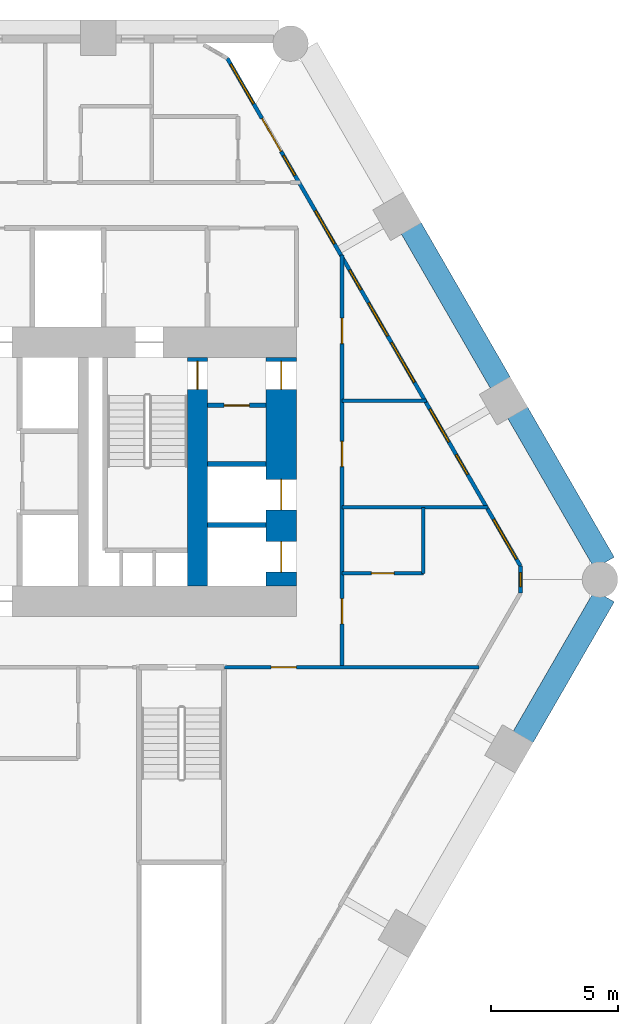
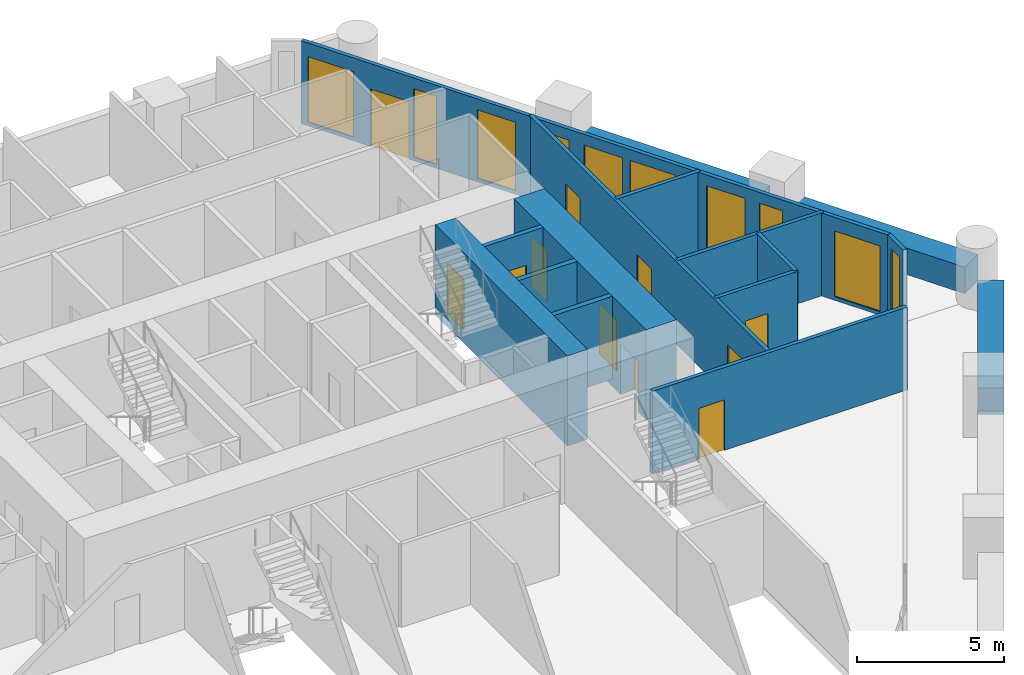
# One storey, part 5 of 8: 16 walls, 11 doors, 10 windows, 21 openings.
"""IFC4 building model written with IfcOpenShell, lengths in metres."""

from ifc_helpers import new_model, si_unit, direction, frame, frame_2d, origin, place, context, subcontext, project, spatial, rectangle, extrude, material, layer, layer_set, type_object, element, fill, save


model = new_model("IFC4")

# Units and contexts
model_context = context("Model", 3, precision=1e-05, world=origin(), true_north=direction((0.0, 1.0)))
body_context = subcontext(model_context, "Body", "Model", "MODEL_VIEW")
ifc_project = project(units=[si_unit("LENGTHUNIT", "METRE"), si_unit("AREAUNIT", "SQUARE_METRE"), si_unit("VOLUMEUNIT", "CUBIC_METRE"), si_unit("PLANEANGLEUNIT", "RADIAN"), si_unit("MASSUNIT", "GRAM", prefix="KILO")], contexts=[model_context])

# Site, building, storey
site_placement = place(None, origin())
site = spatial("IfcSite", under=ifc_project, at=site_placement, CompositionType="ELEMENT")
building_placement = place(site_placement, origin())
building = spatial("IfcBuilding", under=site, at=building_placement, Name="Ostrander Bayou Hotel Tower", CompositionType="ELEMENT")
storey_placement = place(building_placement, frame((0.0, 0.0, 43.0)))
storey = spatial("IfcBuildingStorey", under=building, at=storey_placement, Name="L10", CompositionType="ELEMENT", Elevation=43.0)

# Wall, openings, doors
ifc_material_1 = material(Name="Concrete f'c 70 MPa", Category="concrete")
ifc_layer_1 = layer(ifc_material_1, 1.199951171875)
ifc_layer_set_1 = layer_set([ifc_layer_1], Name="CW1 core wall 1200 mm f'c 70 MPa")
wall_type_1 = type_object("IfcWallType", Name="CW1 core wall 1200 mm f'c 70 MPa", PredefinedType="SHEAR", material=ifc_layer_set_1)
wall_1_placement = place(storey_placement, frame((11.39990234375, -0.5, -0.300048828125), z_axis=(0.0, 0.0, 1.0), x_axis=(0.0, 1.0, 0.0)))
wall_1 = element("IfcWall", 1, at=wall_1_placement, inside=storey, type_object=wall_type_1, Name="CW1 L10 RE", PredefinedType="SHEAR", context=body_context, shape_type="SweptSolid", body=[
    extrude(rectangle(XDim=9.0, YDim=1.199951171875, at=frame_2d((4.5, 0.0))), origin(), (0.0, 0.0, 1.0), 3.75),
])
opening_1_placement = place(wall_1_placement, frame((7.75, 0.0, 0.0)))
opening_1 = element("IfcOpeningElement", 2, at=opening_1_placement, cuts=wall_1, Name="Opening T09-021", PredefinedType="OPENING", context=body_context, shape_type="SweptSolid", body=[
    extrude(rectangle(XDim=1.10009765625, YDim=2.10009765625, at=frame_2d((0.550048828125, 1.050048828125))), frame((0.0, 0.60009765625, 0.0), z_axis=(0.0, -1.0, 0.0), x_axis=(1.0, 0.0, 0.0)), (0.0, 0.0, 1.0), 1.199951171875),
])
opening_2_placement = place(wall_1_placement, frame((0.550048828125, 0.0, 0.0)))
opening_2 = element("IfcOpeningElement", 3, at=opening_2_placement, cuts=wall_1, Name="Opening T09-022", PredefinedType="OPENING", context=body_context, shape_type="SweptSolid", body=[
    extrude(rectangle(XDim=1.199951171875, YDim=2.10009765625, at=frame_2d((0.60009765625, 1.050048828125))), frame((0.0, 0.60009765625, 0.0), z_axis=(0.0, -1.0, 0.0), x_axis=(1.0, 0.0, 0.0)), (0.0, 0.0, 1.0), 1.199951171875),
])
opening_3_placement = place(wall_1_placement, frame((3.0, 0.0, 0.0)))
opening_3 = element("IfcOpeningElement", 4, at=opening_3_placement, cuts=wall_1, Name="Opening T09-023", PredefinedType="OPENING", context=body_context, shape_type="SweptSolid", body=[
    extrude(rectangle(XDim=1.199951171875, YDim=2.10009765625, at=frame_2d((0.60009765625, 1.050048828125))), frame((0.0, 0.60009765625, 0.0), z_axis=(0.0, -1.0, 0.0), x_axis=(1.0, 0.0, 0.0)), (0.0, 0.0, 1.0), 1.199951171875),
])
ifc_material_2 = material(Name="Timber door leaf", Category="wood")
door_type_1 = type_object("IfcDoorType", Name="D5 stair door 1100 x 2100 mm, 90 minute", OperationType="SINGLE_SWING_LEFT", PredefinedType="DOOR", material=ifc_material_2)
door_1_placement = place(opening_1_placement, origin())
door_1 = element("IfcDoor", 5, at=door_1_placement, inside=storey, type_object=door_type_1, Name="dr:L10:021", OperationType="SINGLE_SWING_RIGHT", OverallHeight=2.10009765625, OverallWidth=1.10009765625, PredefinedType="DOOR", context=body_context, shape_type="SweptSolid", body=[
    extrude(rectangle(XDim=1.10009765625, YDim=2.10009765625, at=frame_2d((0.550048828125, 1.050048828125))), frame((0.0, 0.02490234375, 0.0), z_axis=(0.0, -1.0, 0.0), x_axis=(1.0, 0.0, 0.0)), (0.0, 0.0, 1.0), 0.050048828125),
])
fill(opening_1, door_1)
ifc_material_3 = material(Name="Stainless steel sliding door", Category="steel")
door_type_2 = type_object("IfcDoorType", Name="LD1 lift landing door 1200 x 2100 mm", OperationType="SINGLE_SWING_LEFT", PredefinedType="DOOR", material=ifc_material_3)
door_2_placement = place(opening_2_placement, origin())
door_2 = element("IfcDoor", 6, at=door_2_placement, inside=storey, type_object=door_type_2, Name="dr:L10:022", OperationType="SLIDING_TO_LEFT", OverallHeight=2.10009765625, OverallWidth=1.199951171875, PredefinedType="DOOR", context=body_context, shape_type="SweptSolid", body=[
    extrude(rectangle(XDim=1.199951171875, YDim=2.10009765625, at=frame_2d((0.60009765625, 1.050048828125))), frame((0.0, 0.02490234375, 0.0), z_axis=(0.0, -1.0, 0.0), x_axis=(1.0, 0.0, 0.0)), (0.0, 0.0, 1.0), 0.050048828125),
])
fill(opening_2, door_2)
door_3_placement = place(opening_3_placement, origin())
door_3 = element("IfcDoor", 7, at=door_3_placement, inside=storey, type_object=door_type_2, Name="dr:L10:023", OperationType="SLIDING_TO_LEFT", OverallHeight=2.10009765625, OverallWidth=1.199951171875, PredefinedType="DOOR", context=body_context, shape_type="SweptSolid", body=[
    extrude(rectangle(XDim=1.199951171875, YDim=2.10009765625, at=frame_2d((0.60009765625, 1.050048828125))), frame((0.0, 0.02490234375, 0.0), z_axis=(0.0, -1.0, 0.0), x_axis=(1.0, 0.0, 0.0)), (0.0, 0.0, 1.0), 0.050048828125),
])
fill(opening_3, door_3)

# Wall, opening, door
ifc_material_4 = material(Name="Concrete f'c 70 MPa", Category="concrete")
ifc_layer_2 = layer(ifc_material_4, 0.800048828125)
ifc_layer_set_2 = layer_set([ifc_layer_2], Name="CW2 core spine wall 800 mm f'c 70 MPa")
wall_type_2 = type_object("IfcWallType", Name="CW2 core spine wall 800 mm f'c 70 MPa", PredefinedType="SHEAR", material=ifc_layer_set_2)
wall_2_placement = place(storey_placement, frame((8.10009765625, -0.5, -0.300048828125), z_axis=(0.0, 0.0, 1.0), x_axis=(0.0, 1.0, 0.0)))
wall_2 = element("IfcWall", 8, at=wall_2_placement, inside=storey, type_object=wall_type_2, Name="CW2 L10 E", PredefinedType="SHEAR", context=body_context, shape_type="SweptSolid", body=[
    extrude(rectangle(XDim=9.0, YDim=0.800048828125, at=frame_2d((4.5, 0.0))), origin(), (0.0, 0.0, 1.0), 3.75),
])
opening_4_placement = place(wall_2_placement, frame((7.75, 0.0, 0.0)))
opening_4 = element("IfcOpeningElement", 9, at=opening_4_placement, cuts=wall_2, Name="Opening T09-006", PredefinedType="OPENING", context=body_context, shape_type="SweptSolid", body=[
    extrude(rectangle(XDim=1.10009765625, YDim=2.10009765625, at=frame_2d((0.550048828125, 1.050048828125))), frame((0.0, 0.39990234375, 0.0), z_axis=(0.0, -1.0, 0.0), x_axis=(1.0, 0.0, 0.0)), (0.0, 0.0, 1.0), 0.800048828125),
])
door_4_placement = place(opening_4_placement, origin())
door_4 = element("IfcDoor", 10, at=door_4_placement, inside=storey, type_object=door_type_1, Name="dr:L10:006", OperationType="SINGLE_SWING_LEFT", OverallHeight=2.10009765625, OverallWidth=1.10009765625, PredefinedType="DOOR", context=body_context, shape_type="SweptSolid", body=[
    extrude(rectangle(XDim=1.10009765625, YDim=2.10009765625, at=frame_2d((0.550048828125, 1.050048828125))), frame((0.0, 0.02490234375, 0.0), z_axis=(0.0, -1.0, 0.0), x_axis=(1.0, 0.0, 0.0)), (0.0, 0.0, 1.0), 0.050048828125),
])
fill(opening_4, door_4)

# Wall, openings, door, windows
ifc_material_5 = material(Name="Aluminium framed insulated wall", Category="aluminium")
ifc_layer_3 = layer(ifc_material_5, 0.14990234375)
ifc_layer_set_3 = layer_set([ifc_layer_3], Name="GW1 glass-line wall 150 mm")
wall_type_3 = type_object("IfcWallType", Name="GW1 glass-line wall 150 mm", PredefinedType="SOLIDWALL", material=ifc_layer_set_3)
wall_3_placement = place(storey_placement, frame((20.826171875, 0.287109375, 0.0), z_axis=(0.0, 0.0, 1.0), x_axis=(-0.500006057782, 0.866021906294, 0.0)))
wall_3 = element("IfcWall", 11, at=wall_3_placement, inside=storey, type_object=wall_type_3, Name="GW1 L10 NE 1", PredefinedType="SOLIDWALL", context=body_context, shape_type="SweptSolid", body=[
    extrude(rectangle(XDim=23.100341796875, YDim=0.14990234375, at=frame_2d((11.55029296875, 0.0))), origin(), (0.0, 0.0, 1.0), 3.449951171875),
])
opening_5_placement = place(wall_3_placement, frame((4.16455078125, 0.0, 0.14990234375)))
opening_5 = element("IfcOpeningElement", 12, at=opening_5_placement, cuts=wall_3, Name="Opening W15", PredefinedType="OPENING", context=body_context, shape_type="SweptSolid", body=[
    extrude(rectangle(XDim=0.89990234375, YDim=2.85009765625, at=frame_2d((0.449951171875, 1.425048828125))), frame((0.0, 0.074951171875, 0.0), z_axis=(0.0, -1.0, 0.0), x_axis=(1.0, 0.0, 0.0)), (0.0, 0.0, 1.0), 0.14990234375),
])
opening_6_placement = place(wall_3_placement, frame((5.64453125, 0.0, 0.14990234375)))
opening_6 = element("IfcOpeningElement", 13, at=opening_6_placement, cuts=wall_3, Name="Opening W11", PredefinedType="OPENING", context=body_context, shape_type="SweptSolid", body=[
    extrude(rectangle(XDim=1.5, YDim=2.85009765625, at=frame_2d((0.75, 1.425048828125))), frame((0.0, 0.074951171875, 0.0), z_axis=(0.0, -1.0, 0.0), x_axis=(1.0, 0.0, 0.0)), (0.0, 0.0, 1.0), 0.14990234375),
])
opening_7_placement = place(wall_3_placement, frame((8.364501953125, 0.0, 0.14990234375)))
opening_7 = element("IfcOpeningElement", 14, at=opening_7_placement, cuts=wall_3, Name="Opening W1", PredefinedType="OPENING", context=body_context, shape_type="SweptSolid", body=[
    extrude(rectangle(XDim=1.800048828125, YDim=2.85009765625, at=frame_2d((0.89990234375, 1.425048828125))), frame((0.0, 0.074951171875, 0.0), z_axis=(0.0, -1.0, 0.0), x_axis=(1.0, 0.0, 0.0)), (0.0, 0.0, 1.0), 0.14990234375),
])
opening_8_placement = place(wall_3_placement, frame((10.464599609375, 0.0, 0.14990234375)))
opening_8 = element("IfcOpeningElement", 15, at=opening_8_placement, cuts=wall_3, Name="Opening W11", PredefinedType="OPENING", context=body_context, shape_type="SweptSolid", body=[
    extrude(rectangle(XDim=1.5, YDim=2.85009765625, at=frame_2d((0.75, 1.425048828125))), frame((0.0, 0.074951171875, 0.0), z_axis=(0.0, -1.0, 0.0), x_axis=(1.0, 0.0, 0.0)), (0.0, 0.0, 1.0), 0.14990234375),
])
opening_9_placement = place(wall_3_placement, frame((12.564453125, 0.0, 0.14990234375)))
opening_9 = element("IfcOpeningElement", 16, at=opening_9_placement, cuts=wall_3, Name="Opening W15", PredefinedType="OPENING", context=body_context, shape_type="SweptSolid", body=[
    extrude(rectangle(XDim=0.89990234375, YDim=2.85009765625, at=frame_2d((0.449951171875, 1.425048828125))), frame((0.0, 0.074951171875, 0.0), z_axis=(0.0, -1.0, 0.0), x_axis=(1.0, 0.0, 0.0)), (0.0, 0.0, 1.0), 0.14990234375),
])
opening_10_placement = place(wall_3_placement, frame((14.66455078125, 0.0, 0.14990234375)))
opening_10 = element("IfcOpeningElement", 17, at=opening_10_placement, cuts=wall_3, Name="Opening W11", PredefinedType="OPENING", context=body_context, shape_type="SweptSolid", body=[
    extrude(rectangle(XDim=1.5, YDim=2.85009765625, at=frame_2d((0.75, 1.425048828125))), frame((0.0, 0.074951171875, 0.0), z_axis=(0.0, -1.0, 0.0), x_axis=(1.0, 0.0, 0.0)), (0.0, 0.0, 1.0), 0.14990234375),
])
opening_11_placement = place(wall_3_placement, frame((17.77490234375, 0.0, 0.14990234375)))
opening_11 = element("IfcOpeningElement", 18, at=opening_11_placement, cuts=wall_3, Name="Opening W15", PredefinedType="OPENING", context=body_context, shape_type="SweptSolid", body=[
    extrude(rectangle(XDim=0.89990234375, YDim=2.85009765625, at=frame_2d((0.449951171875, 1.425048828125))), frame((0.0, 0.074951171875, 0.0), z_axis=(0.0, -1.0, 0.0), x_axis=(1.0, 0.0, 0.0)), (0.0, 0.0, 1.0), 0.14990234375),
])
opening_12_placement = place(wall_3_placement, frame((18.864501953125, 0.0, 0.0)))
opening_12 = element("IfcOpeningElement", 19, at=opening_12_placement, cuts=wall_3, Name="Opening T09-808", PredefinedType="OPENING", context=body_context, shape_type="SweptSolid", body=[
    extrude(rectangle(XDim=1.5, YDim=2.39990234375, at=frame_2d((0.75, 1.199951171875))), frame((0.0, 0.074951171875, 0.0), z_axis=(0.0, -1.0, 0.0), x_axis=(1.0, 0.0, 0.0)), (0.0, 0.0, 1.0), 0.14990234375),
])
opening_13_placement = place(wall_3_placement, frame((0.322265625, 0.0, 0.14990234375)))
opening_13 = element("IfcOpeningElement", 20, at=opening_13_placement, cuts=wall_3, Name="Opening W1", PredefinedType="OPENING", context=body_context, shape_type="SweptSolid", body=[
    extrude(rectangle(XDim=1.800048828125, YDim=2.72998046875, at=frame_2d((0.89990234375, 1.364990234375))), frame((0.0, 0.074951171875, 0.0), z_axis=(0.0, -1.0, 0.0), x_axis=(1.0, 0.0, 0.0)), (0.0, 0.0, 1.0), 0.14990234375),
])
opening_14_placement = place(wall_3_placement, frame((21.032470703125, 0.0, 0.14990234375)))
opening_14 = element("IfcOpeningElement", 21, at=opening_14_placement, cuts=wall_3, Name="Opening W1", PredefinedType="OPENING", context=body_context, shape_type="SweptSolid", body=[
    extrude(rectangle(XDim=1.800048828125, YDim=2.72998046875, at=frame_2d((0.89990234375, 1.364990234375))), frame((0.0, 0.074951171875, 0.0), z_axis=(0.0, -1.0, 0.0), x_axis=(1.0, 0.0, 0.0)), (0.0, 0.0, 1.0), 0.14990234375),
])
ifc_material_6 = material(Name="Aluminium and clear glass", Category="aluminium")
door_type_3 = type_object("IfcDoorType", Name="SD1 sliding glass door 1500 mm, zone 1", OperationType="SLIDING_TO_LEFT", PredefinedType="DOOR", material=ifc_material_6)
door_5_placement = place(opening_12_placement, origin())
door_5 = element("IfcDoor", 22, at=door_5_placement, inside=storey, type_object=door_type_3, Name="SD1 L10 NE 5", OperationType="SLIDING_TO_LEFT", OverallHeight=2.39990234375, OverallWidth=1.5, PredefinedType="DOOR", context=body_context, shape_type="SweptSolid", body=[
    extrude(rectangle(XDim=1.5, YDim=2.39990234375, at=frame_2d((0.75, 1.199951171875))), frame((0.0, 0.02490234375, 0.0), z_axis=(0.0, -1.0, 0.0), x_axis=(1.0, 0.0, 0.0)), (0.0, 0.0, 1.0), 0.050048828125),
])
fill(opening_12, door_5)
ifc_material_7 = material(Name="Aluminium and clear glass", Category="aluminium")
window_type_1 = type_object("IfcWindowType", Name="W1 fixed window 1800 mm, zone 1", PartitioningType="SINGLE_PANEL", PredefinedType="WINDOW", material=ifc_material_7)
window_1_placement = place(opening_7_placement, origin())
window_1 = element("IfcWindow", 23, at=window_1_placement, inside=storey, type_object=window_type_1, Name="W1 L10 NE 3", OverallHeight=2.85009765625, OverallWidth=1.800048828125, PartitioningType="SINGLE_PANEL", PredefinedType="WINDOW", context=body_context, shape_type="SweptSolid", body=[
    extrude(rectangle(XDim=1.800048828125, YDim=2.85009765625, at=frame_2d((0.89990234375, 1.425048828125))), frame((0.0, 0.030029296875, 0.0), z_axis=(0.0, -1.0, 0.0), x_axis=(1.0, 0.0, 0.0)), (0.0, 0.0, 1.0), 0.06005859375),
])
fill(opening_7, window_1)
window_2_placement = place(opening_13_placement, origin())
window_2 = element("IfcWindow", 24, at=window_2_placement, inside=storey, type_object=window_type_1, Name="W1 L10 NE E11", OverallHeight=2.72998046875, OverallWidth=1.800048828125, PartitioningType="SINGLE_PANEL", PredefinedType="WINDOW", context=body_context, shape_type="SweptSolid", body=[
    extrude(rectangle(XDim=1.800048828125, YDim=2.72998046875, at=frame_2d((0.89990234375, 1.364990234375))), frame((0.0, 0.030029296875, 0.0), z_axis=(0.0, -1.0, 0.0), x_axis=(1.0, 0.0, 0.0)), (0.0, 0.0, 1.0), 0.06005859375),
])
fill(opening_13, window_2)
window_3_placement = place(opening_14_placement, origin())
window_3 = element("IfcWindow", 25, at=window_3_placement, inside=storey, type_object=window_type_1, Name="W1 L10 NE E21", OverallHeight=2.72998046875, OverallWidth=1.800048828125, PartitioningType="SINGLE_PANEL", PredefinedType="WINDOW", context=body_context, shape_type="SweptSolid", body=[
    extrude(rectangle(XDim=1.800048828125, YDim=2.72998046875, at=frame_2d((0.89990234375, 1.364990234375))), frame((0.0, 0.030029296875, 0.0), z_axis=(0.0, -1.0, 0.0), x_axis=(1.0, 0.0, 0.0)), (0.0, 0.0, 1.0), 0.06005859375),
])
fill(opening_14, window_3)
ifc_material_8 = material(Name="Aluminium and clear glass", Category="aluminium")
window_type_2 = type_object("IfcWindowType", Name="W11 fixed window 1500 mm, bath bay, zone 1", PartitioningType="SINGLE_PANEL", PredefinedType="WINDOW", material=ifc_material_8)
window_4_placement = place(opening_6_placement, origin())
window_4 = element("IfcWindow", 26, at=window_4_placement, inside=storey, type_object=window_type_2, Name="W11 L10 NE 2", OverallHeight=2.85009765625, OverallWidth=1.5, PartitioningType="SINGLE_PANEL", PredefinedType="WINDOW", context=body_context, shape_type="SweptSolid", body=[
    extrude(rectangle(XDim=1.5, YDim=2.85009765625, at=frame_2d((0.75, 1.425048828125))), frame((0.0, 0.030029296875, 0.0), z_axis=(0.0, -1.0, 0.0), x_axis=(1.0, 0.0, 0.0)), (0.0, 0.0, 1.0), 0.06005859375),
])
fill(opening_6, window_4)
window_5_placement = place(opening_8_placement, origin())
window_5 = element("IfcWindow", 27, at=window_5_placement, inside=storey, type_object=window_type_2, Name="W11 L10 NE 3", OverallHeight=2.85009765625, OverallWidth=1.5, PartitioningType="SINGLE_PANEL", PredefinedType="WINDOW", context=body_context, shape_type="SweptSolid", body=[
    extrude(rectangle(XDim=1.5, YDim=2.85009765625, at=frame_2d((0.75, 1.425048828125))), frame((0.0, 0.030029296875, 0.0), z_axis=(0.0, -1.0, 0.0), x_axis=(1.0, 0.0, 0.0)), (0.0, 0.0, 1.0), 0.06005859375),
])
fill(opening_8, window_5)
window_6_placement = place(opening_10_placement, origin())
window_6 = element("IfcWindow", 28, at=window_6_placement, inside=storey, type_object=window_type_2, Name="W11 L10 NE 4", OverallHeight=2.85009765625, OverallWidth=1.5, PartitioningType="SINGLE_PANEL", PredefinedType="WINDOW", context=body_context, shape_type="SweptSolid", body=[
    extrude(rectangle(XDim=1.5, YDim=2.85009765625, at=frame_2d((0.75, 1.425048828125))), frame((0.0, 0.030029296875, 0.0), z_axis=(0.0, -1.0, 0.0), x_axis=(1.0, 0.0, 0.0)), (0.0, 0.0, 1.0), 0.06005859375),
])
fill(opening_10, window_6)
ifc_material_9 = material(Name="Aluminium and clear glass", Category="aluminium")
window_type_3 = type_object("IfcWindowType", Name="W15 window 900 mm, zone 1", PartitioningType="SINGLE_PANEL", PredefinedType="WINDOW", material=ifc_material_9)
window_7_placement = place(opening_5_placement, origin())
window_7 = element("IfcWindow", 29, at=window_7_placement, inside=storey, type_object=window_type_3, Name="W15 L10 NE 2", OverallHeight=2.85009765625, OverallWidth=0.89990234375, PartitioningType="SINGLE_PANEL", PredefinedType="WINDOW", context=body_context, shape_type="SweptSolid", body=[
    extrude(rectangle(XDim=0.89990234375, YDim=2.85009765625, at=frame_2d((0.449951171875, 1.425048828125))), frame((0.0, 0.030029296875, 0.0), z_axis=(0.0, -1.0, 0.0), x_axis=(1.0, 0.0, 0.0)), (0.0, 0.0, 1.0), 0.06005859375),
])
fill(opening_5, window_7)
window_8_placement = place(opening_9_placement, origin())
window_8 = element("IfcWindow", 30, at=window_8_placement, inside=storey, type_object=window_type_3, Name="W15 L10 NE 4", OverallHeight=2.85009765625, OverallWidth=0.89990234375, PartitioningType="SINGLE_PANEL", PredefinedType="WINDOW", context=body_context, shape_type="SweptSolid", body=[
    extrude(rectangle(XDim=0.89990234375, YDim=2.85009765625, at=frame_2d((0.449951171875, 1.425048828125))), frame((0.0, 0.030029296875, 0.0), z_axis=(0.0, -1.0, 0.0), x_axis=(1.0, 0.0, 0.0)), (0.0, 0.0, 1.0), 0.06005859375),
])
fill(opening_9, window_8)
window_9_placement = place(opening_11_placement, origin())
window_9 = element("IfcWindow", 31, at=window_9_placement, inside=storey, type_object=window_type_3, Name="W15 L10 NE 5", OverallHeight=2.85009765625, OverallWidth=0.89990234375, PartitioningType="SINGLE_PANEL", PredefinedType="WINDOW", context=body_context, shape_type="SweptSolid", body=[
    extrude(rectangle(XDim=0.89990234375, YDim=2.85009765625, at=frame_2d((0.449951171875, 1.425048828125))), frame((0.0, 0.030029296875, 0.0), z_axis=(0.0, -1.0, 0.0), x_axis=(1.0, 0.0, 0.0)), (0.0, 0.0, 1.0), 0.06005859375),
])
fill(opening_11, window_9)

# Wall, opening, window
wall_4_placement = place(storey_placement, frame((20.826171875, -0.778076171875, 0.0), z_axis=(0.0, 0.0, 1.0), x_axis=(0.0, 1.0, 0.0)))
wall_4 = element("IfcWall", 32, at=wall_4_placement, inside=storey, type_object=wall_type_3, Name="GW1 L10 corner 5", PredefinedType="SOLIDWALL", context=body_context, shape_type="SweptSolid", body=[
    extrude(rectangle(XDim=1.065185546875, YDim=0.14990234375, at=frame_2d((0.53271484375, 0.0))), origin(), (0.0, 0.0, 1.0), 3.449951171875),
])
opening_15_placement = place(wall_4_placement, frame((0.257568359375, 0.0, 0.14990234375)))
opening_15 = element("IfcOpeningElement", 33, at=opening_15_placement, cuts=wall_4, Name="Opening W19", PredefinedType="OPENING", context=body_context, shape_type="SweptSolid", body=[
    extrude(rectangle(XDim=0.550048828125, YDim=2.85009765625, at=frame_2d((0.27490234375, 1.425048828125))), frame((0.0, 0.074951171875, 0.0), z_axis=(0.0, -1.0, 0.0), x_axis=(1.0, 0.0, 0.0)), (0.0, 0.0, 1.0), 0.14990234375),
])
ifc_material_10 = material(Name="Aluminium and clear glass", Category="aluminium")
window_type_4 = type_object("IfcWindowType", Name="W19 corner window 550 mm", PartitioningType="SINGLE_PANEL", PredefinedType="WINDOW", material=ifc_material_10)
window_10_placement = place(opening_15_placement, origin())
window_10 = element("IfcWindow", 34, at=window_10_placement, inside=storey, type_object=window_type_4, Name="W19 L10 corner 5", OverallHeight=2.85009765625, OverallWidth=0.550048828125, PartitioningType="SINGLE_PANEL", PredefinedType="WINDOW", context=body_context, shape_type="SweptSolid", body=[
    extrude(rectangle(XDim=0.550048828125, YDim=2.85009765625, at=frame_2d((0.27490234375, 1.425048828125))), frame((0.0, 0.030029296875, 0.0), z_axis=(0.0, -1.0, 0.0), x_axis=(1.0, 0.0, 0.0)), (0.0, 0.0, 1.0), 0.06005859375),
])
fill(opening_15, window_10)

# Walls
ifc_material_11 = material(Name="Concrete f'c 40 MPa", Category="concrete")
ifc_layer_4 = layer(ifc_material_11, 0.89990234375)
ifc_layer_set_4 = layer_set([ifc_layer_4], Name="PA1 stone-faced parapet 900 mm")
wall_type_4 = type_object("IfcWallType", Name="PA1 stone-faced parapet 900 mm", PredefinedType="PARAPET", material=ifc_layer_set_4)
wall_5_placement = place(storey_placement, frame((24.13232421875, 0.410400390625, 0.0), z_axis=(0.0, 0.0, 1.0), x_axis=(-0.499994135611, 0.866028789565, 0.0)))
element("IfcWall", 35, at=wall_5_placement, inside=storey, type_object=wall_type_4, Name="PA1 L10 NE-1", PredefinedType="PARAPET", context=body_context, shape_type="SweptSolid", body=[
    extrude(rectangle(XDim=6.84521484375, YDim=0.89990234375, at=frame_2d((3.422607421875, 0.0))), origin(), (0.0, 0.0, 1.0), 1.10009765625),
])
wall_6_placement = place(storey_placement, frame((20.039794921875, 7.499267578125, 0.0), z_axis=(0.0, 0.0, 1.0), x_axis=(-0.499997206141, 0.866027016814, 0.0)))
element("IfcWall", 36, at=wall_6_placement, inside=storey, type_object=wall_type_4, Name="PA1 L10 NE-2", PredefinedType="PARAPET", context=body_context, shape_type="SweptSolid", body=[
    extrude(rectangle(XDim=7.05078125, YDim=0.89990234375, at=frame_2d((3.525390625, 0.0))), origin(), (0.0, 0.0, 1.0), 1.10009765625),
])
ifc_material_12 = material(Name="Limestone masonry", Category="masonry")
ifc_layer_5 = layer(ifc_material_12, 0.89990234375)
ifc_layer_set_5 = layer_set([ifc_layer_5], Name="PA2 limestone parapet 900 mm")
wall_type_5 = type_object("IfcWallType", Name="PA2 limestone parapet 900 mm", PredefinedType="PARAPET", material=ifc_layer_set_5)
wall_7_placement = place(storey_placement, frame((20.92236328125, -6.46142578125, 0.0), z_axis=(0.0, 0.0, 1.0), x_axis=(0.499983599745, 0.866034872269, 0.0)))
element("IfcWall", 37, at=wall_7_placement, inside=storey, type_object=wall_type_5, Name="PA2 L10 SE-3", PredefinedType="PARAPET", context=body_context, shape_type="SweptSolid", body=[
    extrude(rectangle(XDim=6.420166015625, YDim=0.89990234375, at=frame_2d((3.2099609375, 0.0))), origin(), (0.0, 0.0, 1.0), 1.10009765625),
])

# Wall, opening, door
ifc_material_13 = material(Name="Gypsum board partition", Category="finish")
ifc_layer_6 = layer(ifc_material_13, 0.175048828125)
ifc_layer_set_6 = layer_set([ifc_layer_6], Name="PT4 corridor wall 175 mm, 1 hour")
wall_type_6 = type_object("IfcWallType", Name="PT4 corridor wall 175 mm, 1 hour", PredefinedType="PARTITIONING", material=ifc_layer_set_6)
wall_8_placement = place(storey_placement, frame((8.5, 6.614013671875, 0.0), z_axis=(0.0, 0.0, 1.0), x_axis=(1.0, 0.0, 0.0)))
wall_8 = element("IfcWall", 38, at=wall_8_placement, inside=storey, type_object=wall_type_6, Name="cs:L10:041", PredefinedType="PARTITIONING", context=body_context, shape_type="SweptSolid", body=[
    extrude(rectangle(XDim=2.300048828125, YDim=0.175048828125, at=frame_2d((1.14990234375, 0.0))), origin(), (0.0, 0.0, 1.0), 3.449951171875),
])
opening_16_placement = place(wall_8_placement, frame((0.64990234375, 0.0, 0.0)))
opening_16 = element("IfcOpeningElement", 39, at=opening_16_placement, cuts=wall_8, Name="Opening T09-020", PredefinedType="OPENING", context=body_context, shape_type="SweptSolid", body=[
    extrude(rectangle(XDim=1.0, YDim=2.10009765625, at=frame_2d((0.5, 1.050048828125))), frame((0.0, 0.08740234375, 0.0), z_axis=(0.0, -1.0, 0.0), x_axis=(1.0, 0.0, 0.0)), (0.0, 0.0, 1.0), 0.175048828125),
])
ifc_material_14 = material(Name="Timber door leaf", Category="wood")
door_type_4 = type_object("IfcDoorType", Name="D4 corridor door 1000 x 2100 mm, 1 hour", OperationType="SINGLE_SWING_LEFT", PredefinedType="DOOR", material=ifc_material_14)
door_6_placement = place(opening_16_placement, origin())
door_6 = element("IfcDoor", 40, at=door_6_placement, inside=storey, type_object=door_type_4, Name="dr:L10:020", OperationType="SINGLE_SWING_RIGHT", OverallHeight=2.10009765625, OverallWidth=1.0, PredefinedType="DOOR", context=body_context, shape_type="SweptSolid", body=[
    extrude(rectangle(XDim=1.0, YDim=2.10009765625, at=frame_2d((0.5, 1.050048828125))), frame((0.0, 0.02490234375, 0.0), z_axis=(0.0, -1.0, 0.0), x_axis=(1.0, 0.0, 0.0)), (0.0, 0.0, 1.0), 0.050048828125),
])
fill(opening_16, door_6)

# Walls
ifc_material_15 = material(Name="Masonry block", Category="masonry")
ifc_layer_7 = layer(ifc_material_15, 0.199951171875)
ifc_layer_set_7 = layer_set([ifc_layer_7], Name="PT6 lift shaft wall 200 mm masonry, 2 hour")
wall_type_7 = type_object("IfcWallType", Name="PT6 lift shaft wall 200 mm masonry, 2 hour", PredefinedType="PARTITIONING", material=ifc_layer_set_7)
for number, where, z_axis, x_axis, name in (
    (41, (8.5, 1.89990234375, 0.0), (0.0, 0.0, 1.0), (1.0, 0.0, 0.0), "cs:L10:039"),
    (42, (8.5, 4.300048828125, 0.0), (0.0, 0.0, 1.0), (1.0, 0.0, 0.0), "cs:L10:040"),
):
    element("IfcWall", number, at=place(storey_placement, frame(where, z_axis=z_axis, x_axis=x_axis)), inside=storey, type_object=wall_type_7, Name=name, PredefinedType="PARTITIONING", context=body_context, shape_type="SweptSolid", body=[
        extrude(rectangle(XDim=2.300048828125, YDim=0.199951171875, at=frame_2d((1.14990234375, 0.0))), origin(), (0.0, 0.0, 1.0), 3.449951171875),
    ])

# Wall, opening, door
ifc_material_16 = material(Name="Gypsum board partition", Category="finish")
ifc_layer_8 = layer(ifc_material_16, 0.14990234375)
ifc_layer_set_8 = layer_set([ifc_layer_8], Name="PT8 service band wall 150 mm, 1 hour")
wall_type_8 = type_object("IfcWallType", Name="PT8 service band wall 150 mm, 1 hour", PredefinedType="PARTITIONING", material=ifc_layer_set_8)
wall_9_placement = place(storey_placement, frame((9.159912109375, -3.699951171875, 0.0), z_axis=(0.0, 0.0, 1.0), x_axis=(1.0, 0.0, 0.0)))
wall_9 = element("IfcWall", 43, at=wall_9_placement, inside=storey, type_object=wall_type_8, Name="gw:L10:004", PredefinedType="PARTITIONING", context=body_context, shape_type="SweptSolid", body=[
    extrude(rectangle(XDim=10.031005859375, YDim=0.14990234375, at=frame_2d((5.015625, 0.0))), origin(), (0.0, 0.0, 1.0), 3.449951171875),
])
opening_17_placement = place(wall_9_placement, frame((1.840087890625, 0.0, 0.0)))
opening_17 = element("IfcOpeningElement", 44, at=opening_17_placement, cuts=wall_9, Name="Opening T09-406", PredefinedType="OPENING", context=body_context, shape_type="SweptSolid", body=[
    extrude(rectangle(XDim=1.0, YDim=2.10009765625, at=frame_2d((0.5, 1.050048828125))), frame((0.0, 0.074951171875, 0.0), z_axis=(0.0, -1.0, 0.0), x_axis=(1.0, 0.0, 0.0)), (0.0, 0.0, 1.0), 0.14990234375),
])
ifc_material_17 = material(Name="Timber door leaf", Category="wood")
door_type_5 = type_object("IfcDoorType", Name="D15 room door 1000 x 2100 mm", OperationType="SINGLE_SWING_LEFT", PredefinedType="DOOR", material=ifc_material_17)
door_7_placement = place(opening_17_placement, origin())
door_7 = element("IfcDoor", 45, at=door_7_placement, inside=storey, type_object=door_type_5, Name="dr:L10:406", OperationType="SINGLE_SWING_LEFT", OverallHeight=2.10009765625, OverallWidth=1.0, PredefinedType="DOOR", context=body_context, shape_type="SweptSolid", body=[
    extrude(rectangle(XDim=1.0, YDim=2.10009765625, at=frame_2d((0.5, 1.050048828125))), frame((0.0, 0.02490234375, 0.0), z_axis=(0.0, -1.0, 0.0), x_axis=(1.0, 0.0, 0.0)), (0.0, 0.0, 1.0), 0.050048828125),
])
fill(opening_17, door_7)

wall_10_placement = place(storey_placement, frame((13.800048828125, 0.0, 0.0), z_axis=(0.0, 0.0, 1.0), x_axis=(1.0, 0.0, 0.0)))
wall_10 = element("IfcWall", 46, at=wall_10_placement, inside=storey, type_object=wall_type_8, Name="gw:L10:007", PredefinedType="PARTITIONING", context=body_context, shape_type="SweptSolid", body=[
    extrude(rectangle(XDim=3.199951171875, YDim=0.14990234375, at=frame_2d((1.60009765625, 0.0))), origin(), (0.0, 0.0, 1.0), 3.449951171875),
])
opening_18_placement = place(wall_10_placement, frame((1.14990234375, 0.0, 0.0)))
opening_18 = element("IfcOpeningElement", 47, at=opening_18_placement, cuts=wall_10, Name="Opening T09-413", PredefinedType="OPENING", context=body_context, shape_type="SweptSolid", body=[
    extrude(rectangle(XDim=0.89990234375, YDim=2.10009765625, at=frame_2d((0.449951171875, 1.050048828125))), frame((0.0, 0.074951171875, 0.0), z_axis=(0.0, -1.0, 0.0), x_axis=(1.0, 0.0, 0.0)), (0.0, 0.0, 1.0), 0.14990234375),
])
ifc_material_18 = material(Name="Timber door leaf", Category="wood")
door_type_6 = type_object("IfcDoorType", Name="D8 room door 900 x 2100 mm", OperationType="SINGLE_SWING_LEFT", PredefinedType="DOOR", material=ifc_material_18)
door_8_placement = place(opening_18_placement, origin())
door_8 = element("IfcDoor", 48, at=door_8_placement, inside=storey, type_object=door_type_6, Name="dr:L10:413", OperationType="SINGLE_SWING_LEFT", OverallHeight=2.10009765625, OverallWidth=0.89990234375, PredefinedType="DOOR", context=body_context, shape_type="SweptSolid", body=[
    extrude(rectangle(XDim=0.89990234375, YDim=2.10009765625, at=frame_2d((0.449951171875, 1.050048828125))), frame((0.0, 0.02490234375, 0.0), z_axis=(0.0, -1.0, 0.0), x_axis=(1.0, 0.0, 0.0)), (0.0, 0.0, 1.0), 0.050048828125),
])
fill(opening_18, door_8)

# Walls
wall_11_placement = place(storey_placement, frame((13.800048828125, 2.60009765625, 0.0), z_axis=(0.0, 0.0, 1.0), x_axis=(1.0, 0.0, 0.0)))
element("IfcWall", 49, at=wall_11_placement, inside=storey, type_object=wall_type_8, Name="gw:L10:009", PredefinedType="PARTITIONING", context=body_context, shape_type="SweptSolid", body=[
    extrude(rectangle(XDim=5.742919921875, YDim=0.14990234375, at=frame_2d((2.87158203125, 0.0))), origin(), (0.0, 0.0, 1.0), 3.449951171875),
])
wall_12_placement = place(storey_placement, frame((13.800048828125, 6.800048828125, 0.0), z_axis=(0.0, 0.0, 1.0), x_axis=(1.0, 0.0, 0.0)))
element("IfcWall", 50, at=wall_12_placement, inside=storey, type_object=wall_type_8, Name="gw:L10:011", PredefinedType="PARTITIONING", context=body_context, shape_type="SweptSolid", body=[
    extrude(rectangle(XDim=3.31787109375, YDim=0.14990234375, at=frame_2d((1.658935546875, 0.0))), origin(), (0.0, 0.0, 1.0), 3.449951171875),
])
wall_13_placement = place(storey_placement, frame((17.0, 0.0, 0.0), z_axis=(0.0, 0.0, 1.0), x_axis=(0.0, 1.0, 0.0)))
element("IfcWall", 51, at=wall_13_placement, inside=storey, type_object=wall_type_8, Name="gw:L10:018", PredefinedType="PARTITIONING", context=body_context, shape_type="SweptSolid", body=[
    extrude(rectangle(XDim=2.60009765625, YDim=0.14990234375, at=frame_2d((1.300048828125, 0.0))), origin(), (0.0, 0.0, 1.0), 3.449951171875),
])

# Wall, openings, doors
wall_14_placement = place(storey_placement, frame((13.800048828125, -3.699951171875, 0.0), z_axis=(0.0, 0.0, 1.0), x_axis=(0.0, 1.0, 0.0)))
wall_14 = element("IfcWall", 52, at=wall_14_placement, inside=storey, type_object=wall_type_8, Name="gw:L10:019", PredefinedType="PARTITIONING", context=body_context, shape_type="SweptSolid", body=[
    extrude(rectangle(XDim=16.2470703125, YDim=0.14990234375, at=frame_2d((8.12353515625, 0.0))), origin(), (0.0, 0.0, 1.0), 3.449951171875),
])
opening_19_placement = place(wall_14_placement, frame((1.705078125, 0.0, 0.0)))
opening_19 = element("IfcOpeningElement", 53, at=opening_19_placement, cuts=wall_14, Name="Opening T09-412", PredefinedType="OPENING", context=body_context, shape_type="SweptSolid", body=[
    extrude(rectangle(XDim=1.0, YDim=2.10009765625, at=frame_2d((0.5, 1.050048828125))), frame((0.0, 0.074951171875, 0.0), z_axis=(0.0, -1.0, 0.0), x_axis=(1.0, 0.0, 0.0)), (0.0, 0.0, 1.0), 0.14990234375),
])
opening_20_placement = place(wall_14_placement, frame((7.89990234375, 0.0, 0.0)))
opening_20 = element("IfcOpeningElement", 54, at=opening_20_placement, cuts=wall_14, Name="Opening T09-414", PredefinedType="OPENING", context=body_context, shape_type="SweptSolid", body=[
    extrude(rectangle(XDim=1.0, YDim=2.10009765625, at=frame_2d((0.5, 1.050048828125))), frame((0.0, 0.074951171875, 0.0), z_axis=(0.0, -1.0, 0.0), x_axis=(1.0, 0.0, 0.0)), (0.0, 0.0, 1.0), 0.14990234375),
])
opening_21_placement = place(wall_14_placement, frame((12.7529296875, 0.0, 0.0)))
opening_21 = element("IfcOpeningElement", 55, at=opening_21_placement, cuts=wall_14, Name="Opening T09-415", PredefinedType="OPENING", context=body_context, shape_type="SweptSolid", body=[
    extrude(rectangle(XDim=1.0, YDim=2.10009765625, at=frame_2d((0.5, 1.050048828125))), frame((0.0, 0.074951171875, 0.0), z_axis=(0.0, -1.0, 0.0), x_axis=(1.0, 0.0, 0.0)), (0.0, 0.0, 1.0), 0.14990234375),
])
door_9_placement = place(opening_19_placement, origin())
door_9 = element("IfcDoor", 56, at=door_9_placement, inside=storey, type_object=door_type_5, Name="dr:L10:412", OperationType="SINGLE_SWING_LEFT", OverallHeight=2.10009765625, OverallWidth=1.0, PredefinedType="DOOR", context=body_context, shape_type="SweptSolid", body=[
    extrude(rectangle(XDim=1.0, YDim=2.10009765625, at=frame_2d((0.5, 1.050048828125))), frame((0.0, 0.02490234375, 0.0), z_axis=(0.0, -1.0, 0.0), x_axis=(1.0, 0.0, 0.0)), (0.0, 0.0, 1.0), 0.050048828125),
])
fill(opening_19, door_9)
ifc_material_19 = material(Name="Timber door leaf", Category="wood")
door_type_7 = type_object("IfcDoorType", Name="D9 service door 1000 x 2100 mm, 30 minute", OperationType="SINGLE_SWING_LEFT", PredefinedType="DOOR", material=ifc_material_19)
door_10_placement = place(opening_20_placement, origin())
door_10 = element("IfcDoor", 57, at=door_10_placement, inside=storey, type_object=door_type_7, Name="dr:L10:414", OperationType="SINGLE_SWING_LEFT", OverallHeight=2.10009765625, OverallWidth=1.0, PredefinedType="DOOR", context=body_context, shape_type="SweptSolid", body=[
    extrude(rectangle(XDim=1.0, YDim=2.10009765625, at=frame_2d((0.5, 1.050048828125))), frame((0.0, 0.02490234375, 0.0), z_axis=(0.0, -1.0, 0.0), x_axis=(1.0, 0.0, 0.0)), (0.0, 0.0, 1.0), 0.050048828125),
])
fill(opening_20, door_10)
door_11_placement = place(opening_21_placement, origin())
door_11 = element("IfcDoor", 58, at=door_11_placement, inside=storey, type_object=door_type_7, Name="dr:L10:415", OperationType="SINGLE_SWING_LEFT", OverallHeight=2.10009765625, OverallWidth=1.0, PredefinedType="DOOR", context=body_context, shape_type="SweptSolid", body=[
    extrude(rectangle(XDim=1.0, YDim=2.10009765625, at=frame_2d((0.5, 1.050048828125))), frame((0.0, 0.02490234375, 0.0), z_axis=(0.0, -1.0, 0.0), x_axis=(1.0, 0.0, 0.0)), (0.0, 0.0, 1.0), 0.050048828125),
])
fill(opening_21, door_11)

save(model, "model.ifc")
